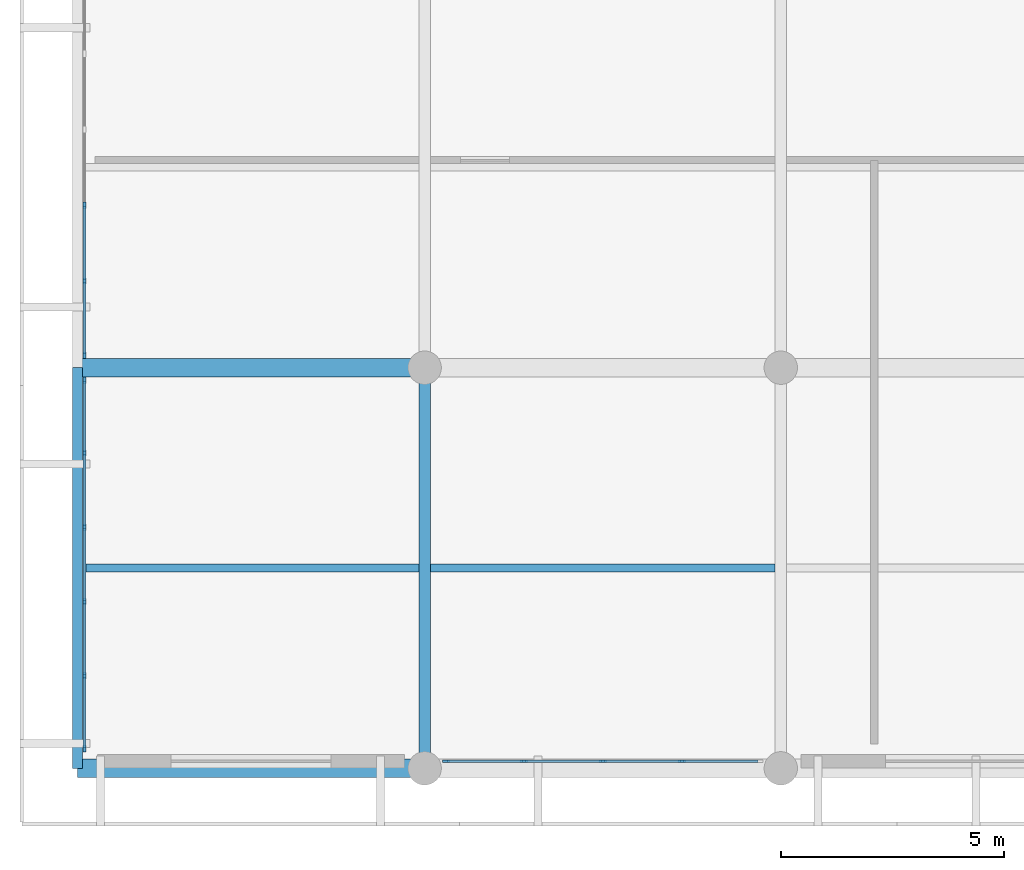
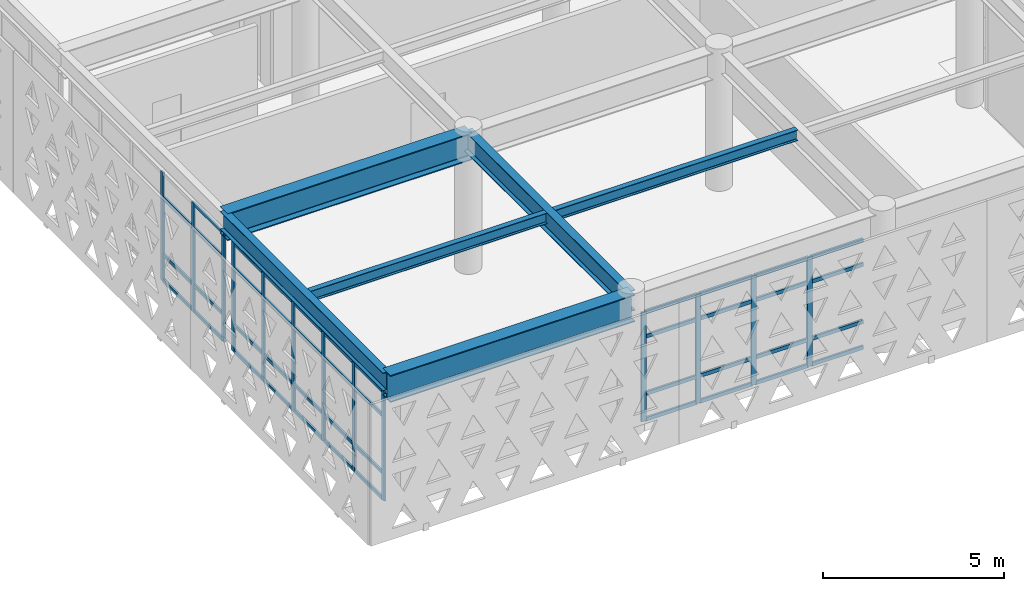
# One storey, part 2 of 26: 56 members, 6 beams, 3 elements without a shape of their own.
"""IFC4 building model written with IfcOpenShell, lengths in metres."""

from ifc_helpers import new_model, si_unit, direction, frame, origin, origin_2d, place, context, subcontext, project, spatial, rectangle, i_section, extrude, material, layer, layer_set, material_profile, profile_set, type_object, element, aggregate, save


model = new_model("IFC4")

# Units and contexts
model_context = context("Model", 3, precision=1e-05, world=origin(), true_north=direction((0.0, 1.0)))
body_context = subcontext(model_context, "Body", "Model", "MODEL_VIEW")
ifc_project = project(units=[si_unit("LENGTHUNIT", "METRE"), si_unit("AREAUNIT", "SQUARE_METRE"), si_unit("VOLUMEUNIT", "CUBIC_METRE"), si_unit("PLANEANGLEUNIT", "RADIAN"), si_unit("MASSUNIT", "GRAM", prefix="KILO")], contexts=[model_context])

# Site, building, storey
site_placement = place(None, origin())
site = spatial("IfcSite", under=ifc_project, at=site_placement, CompositionType="ELEMENT")
building_placement = place(site_placement, origin())
building = spatial("IfcBuilding", under=site, at=building_placement, Name="Tlacozan Convention Centre", CompositionType="ELEMENT")
storey_placement = place(building_placement, frame((0.0, 0.0, 21.0)))
storey = spatial("IfcBuildingStorey", under=building, at=storey_placement, Name="L04", CompositionType="ELEMENT", Elevation=21.0)

# Beams
ifc_material_1 = material(Name="Steel ASTM A992 Grade 50", Category="steel")
ifc_material_profile_1 = material_profile(ifc_material_1, i_section(OverallWidth=0.41796875, OverallDepth=0.912109375, WebThickness=0.019287109375, FlangeThickness=0.031982421875, FilletRadius=0.02001953125, at=origin_2d()), Name="IR 914x342.0")
ifc_profile_set_1 = profile_set([ifc_material_profile_1], Name="Steel ASTM A992 Grade 50")
beam_type_1 = type_object("IfcBeamType", Name="Cantilever Girder IR 914x342", PredefinedType="BEAM", material=ifc_profile_set_1)
for number, where, z_axis, x_axis, name in (
    (1, (8.0, 0.0, 4.18408203125), (-1.0, 0.0, 0.0), (0.0, -1.0, 0.0), "L04 Cantilever Girder IR 914x342 690"),
    (2, (8.0, 9.0, 4.18408203125), (-1.0, 0.0, 0.0), (0.0, -1.0, 0.0), "L04 Cantilever Girder IR 914x342 692"),
):
    element("IfcBeam", number, at=place(storey_placement, frame(where, z_axis=z_axis, x_axis=x_axis)), inside=storey, type_object=beam_type_1, Name=name, PredefinedType="BEAM", context=body_context, shape_type="SweptSolid", body=[
        extrude(i_section(OverallWidth=0.41796875, OverallDepth=0.912109375, WebThickness=0.019287109375, FlangeThickness=0.031982421875, FilletRadius=0.02001953125, at=origin_2d()), origin(), (0.0, 0.0, 1.0), 7.800048828125),
    ])

# Curtain wall, members
ifc_material_2 = material(Name="Dark Bronze Anodised Aluminium", Category="aluminium")
ifc_layer_1 = layer(ifc_material_2, 0.159912109375)
ifc_layer_set_1 = layer_set([ifc_layer_1], Name="Dark Bronze Anodised Aluminium")
curtain_wall_type_1 = type_object("IfcCurtainWallType", Name="Unitised Congress Gable End CW06", PredefinedType="NOTDEFINED", material=ifc_layer_set_1)
curtain_wall_1_placement = place(storey_placement, origin())
curtain_wall_1 = element("IfcCurtainWall", 3, at=curtain_wall_1_placement, inside=storey, type_object=curtain_wall_type_1, Name="L04 CW-06 Run 138", PredefinedType="NOTDEFINED")
ifc_material_profile_2 = material_profile(ifc_material_2, rectangle(XDim=0.06005859375, YDim=0.139892578125, at=origin_2d()), Name="ALU 60x140")
ifc_profile_set_2 = profile_set([ifc_material_profile_2], Name="Dark Bronze Anodised Aluminium")
member_type_1 = type_object("IfcMemberType", Name="Curtain Wall Light Mullion 60x140", PredefinedType="MULLION", material=ifc_profile_set_2)
member_1_placement = place(storey_placement, frame((0.360107421875, 0.43994140625, 0.0), z_axis=(0.0, 0.0, 1.0), x_axis=(-1.0, 0.0, 0.0)))
member_1 = element("IfcMember", 4, at=member_1_placement, type_object=member_type_1, Name="CW-06 mullion 1", PredefinedType="MULLION", context=body_context, shape_type="SweptSolid", body=[
    extrude(rectangle(XDim=0.06005859375, YDim=0.139892578125, at=origin_2d()), origin(), (0.0, 0.0, 1.0), 3.679931640625),
])
member_2_placement = place(storey_placement, frame((0.360107421875, 2.077880859375, 0.0), z_axis=(0.0, 0.0, 1.0), x_axis=(-1.0, 0.0, 0.0)))
member_2 = element("IfcMember", 5, at=member_2_placement, type_object=member_type_1, Name="CW-06 mullion 2", PredefinedType="MULLION", context=body_context, shape_type="SweptSolid", body=[
    extrude(rectangle(XDim=0.06005859375, YDim=0.139892578125, at=origin_2d()), origin(), (0.0, 0.0, 1.0), 3.679931640625),
])
member_3_placement = place(storey_placement, frame((0.360107421875, 3.74609375, 0.0), z_axis=(0.0, 0.0, 1.0), x_axis=(-1.0, 0.0, 0.0)))
member_3 = element("IfcMember", 6, at=member_3_placement, type_object=member_type_1, Name="CW-06 mullion 3", PredefinedType="MULLION", context=body_context, shape_type="SweptSolid", body=[
    extrude(rectangle(XDim=0.06005859375, YDim=0.139892578125, at=origin_2d()), origin(), (0.0, 0.0, 1.0), 3.679931640625),
])
member_4_placement = place(storey_placement, frame((0.360107421875, 5.4140625, 0.0), z_axis=(0.0, 0.0, 1.0), x_axis=(-1.0, 0.0, 0.0)))
member_4 = element("IfcMember", 7, at=member_4_placement, type_object=member_type_1, Name="CW-06 mullion 4", PredefinedType="MULLION", context=body_context, shape_type="SweptSolid", body=[
    extrude(rectangle(XDim=0.06005859375, YDim=0.139892578125, at=origin_2d()), origin(), (0.0, 0.0, 1.0), 3.679931640625),
])
member_5_placement = place(storey_placement, frame((0.360107421875, 7.08203125, 0.0), z_axis=(0.0, 0.0, 1.0), x_axis=(-1.0, 0.0, 0.0)))
member_5 = element("IfcMember", 8, at=member_5_placement, type_object=member_type_1, Name="CW-06 mullion 5", PredefinedType="MULLION", context=body_context, shape_type="SweptSolid", body=[
    extrude(rectangle(XDim=0.06005859375, YDim=0.139892578125, at=origin_2d()), origin(), (0.0, 0.0, 1.0), 3.679931640625),
])
member_6_placement = place(storey_placement, frame((0.360107421875, 8.719970703125, 0.0), z_axis=(0.0, 0.0, 1.0), x_axis=(-1.0, 0.0, 0.0)))
member_6 = element("IfcMember", 9, at=member_6_placement, type_object=member_type_1, Name="CW-06 mullion 6", PredefinedType="MULLION", context=body_context, shape_type="SweptSolid", body=[
    extrude(rectangle(XDim=0.06005859375, YDim=0.139892578125, at=origin_2d()), origin(), (0.0, 0.0, 1.0), 3.679931640625),
])

curtain_wall_2_placement = place(storey_placement, origin())
curtain_wall_2 = element("IfcCurtainWall", 10, at=curtain_wall_2_placement, inside=storey, type_object=curtain_wall_type_1, Name="L04 CW-06 Run 139", PredefinedType="NOTDEFINED")
member_7_placement = place(storey_placement, frame((0.360107421875, 9.280029296875, 0.0), z_axis=(0.0, 0.0, 1.0), x_axis=(-1.0, 0.0, 0.0)))
member_7 = element("IfcMember", 11, at=member_7_placement, type_object=member_type_1, Name="CW-06 mullion 1", PredefinedType="MULLION", context=body_context, shape_type="SweptSolid", body=[
    extrude(rectangle(XDim=0.06005859375, YDim=0.139892578125, at=origin_2d()), origin(), (0.0, 0.0, 1.0), 3.679931640625),
])
member_8_placement = place(storey_placement, frame((0.360107421875, 10.949951171875, 0.0), z_axis=(0.0, 0.0, 1.0), x_axis=(-1.0, 0.0, 0.0)))
member_8 = element("IfcMember", 12, at=member_8_placement, type_object=member_type_1, Name="CW-06 mullion 2", PredefinedType="MULLION", context=body_context, shape_type="SweptSolid", body=[
    extrude(rectangle(XDim=0.06005859375, YDim=0.139892578125, at=origin_2d()), origin(), (0.0, 0.0, 1.0), 3.679931640625),
])
member_9_placement = place(storey_placement, frame((0.360107421875, 12.64990234375, 0.0), z_axis=(0.0, 0.0, 1.0), x_axis=(-1.0, 0.0, 0.0)))
member_9 = element("IfcMember", 13, at=member_9_placement, type_object=member_type_1, Name="CW-06 mullion 3", PredefinedType="MULLION", context=body_context, shape_type="SweptSolid", body=[
    extrude(rectangle(XDim=0.06005859375, YDim=0.139892578125, at=origin_2d()), origin(), (0.0, 0.0, 1.0), 3.679931640625),
])

# Member
ifc_material_profile_3 = material_profile(ifc_material_2, rectangle(XDim=0.06005859375, YDim=0.110107421875, at=origin_2d()), Name="ALU 60x110")
ifc_profile_set_3 = profile_set([ifc_material_profile_3], Name="Dark Bronze Anodised Aluminium")
member_type_2 = type_object("IfcMemberType", Name="Curtain Wall Light Transom 60x110", PredefinedType="USERDEFINED", material=ifc_profile_set_3)
member_10_placement = place(storey_placement, frame((0.360107421875, 0.469970703125, 0.030029296875), z_axis=(0.0, 1.0, 0.0), x_axis=(-1.0, 0.0, 0.0)))
member_10 = element("IfcMember", 14, at=member_10_placement, type_object=member_type_2, Name="CW-06 transom 1.1", ObjectType="TRANSOM", PredefinedType="USERDEFINED", context=body_context, shape_type="SweptSolid", body=[
    extrude(rectangle(XDim=0.06005859375, YDim=0.110107421875, at=origin_2d()), origin(), (0.0, 0.0, 1.0), 1.578125),
])

member_11_placement = place(storey_placement, frame((0.360107421875, 0.469970703125, 0.89990234375), z_axis=(0.0, 1.0, 0.0), x_axis=(-1.0, 0.0, 0.0)))
member_11 = element("IfcMember", 15, at=member_11_placement, type_object=member_type_2, Name="CW-06 transom 1.2", ObjectType="TRANSOM", PredefinedType="USERDEFINED", context=body_context, shape_type="SweptSolid", body=[
    extrude(rectangle(XDim=0.06005859375, YDim=0.110107421875, at=origin_2d()), origin(), (0.0, 0.0, 1.0), 1.578125),
])

member_12_placement = place(storey_placement, frame((0.360107421875, 0.469970703125, 2.830078125), z_axis=(0.0, 1.0, 0.0), x_axis=(-1.0, 0.0, 0.0)))
member_12 = element("IfcMember", 16, at=member_12_placement, type_object=member_type_2, Name="CW-06 transom 1.3", ObjectType="TRANSOM", PredefinedType="USERDEFINED", context=body_context, shape_type="SweptSolid", body=[
    extrude(rectangle(XDim=0.06005859375, YDim=0.110107421875, at=origin_2d()), origin(), (0.0, 0.0, 1.0), 1.578125),
])

member_13_placement = place(storey_placement, frame((0.360107421875, 0.469970703125, 3.64990234375), z_axis=(0.0, 1.0, 0.0), x_axis=(-1.0, 0.0, 0.0)))
member_13 = element("IfcMember", 17, at=member_13_placement, type_object=member_type_2, Name="CW-06 transom 1.4", ObjectType="TRANSOM", PredefinedType="USERDEFINED", context=body_context, shape_type="SweptSolid", body=[
    extrude(rectangle(XDim=0.06005859375, YDim=0.110107421875, at=origin_2d()), origin(), (0.0, 0.0, 1.0), 1.578125),
])

member_14_placement = place(storey_placement, frame((0.360107421875, 2.10791015625, 0.030029296875), z_axis=(0.0, 1.0, 0.0), x_axis=(-1.0, 0.0, 0.0)))
member_14 = element("IfcMember", 18, at=member_14_placement, type_object=member_type_2, Name="CW-06 transom 2.1", ObjectType="TRANSOM", PredefinedType="USERDEFINED", context=body_context, shape_type="SweptSolid", body=[
    extrude(rectangle(XDim=0.06005859375, YDim=0.110107421875, at=origin_2d()), origin(), (0.0, 0.0, 1.0), 1.608154296875),
])

member_15_placement = place(storey_placement, frame((0.360107421875, 2.10791015625, 0.89990234375), z_axis=(0.0, 1.0, 0.0), x_axis=(-1.0, 0.0, 0.0)))
member_15 = element("IfcMember", 19, at=member_15_placement, type_object=member_type_2, Name="CW-06 transom 2.2", ObjectType="TRANSOM", PredefinedType="USERDEFINED", context=body_context, shape_type="SweptSolid", body=[
    extrude(rectangle(XDim=0.06005859375, YDim=0.110107421875, at=origin_2d()), origin(), (0.0, 0.0, 1.0), 1.608154296875),
])

member_16_placement = place(storey_placement, frame((0.360107421875, 2.10791015625, 2.830078125), z_axis=(0.0, 1.0, 0.0), x_axis=(-1.0, 0.0, 0.0)))
member_16 = element("IfcMember", 20, at=member_16_placement, type_object=member_type_2, Name="CW-06 transom 2.3", ObjectType="TRANSOM", PredefinedType="USERDEFINED", context=body_context, shape_type="SweptSolid", body=[
    extrude(rectangle(XDim=0.06005859375, YDim=0.110107421875, at=origin_2d()), origin(), (0.0, 0.0, 1.0), 1.608154296875),
])

member_17_placement = place(storey_placement, frame((0.360107421875, 2.10791015625, 3.64990234375), z_axis=(0.0, 1.0, 0.0), x_axis=(-1.0, 0.0, 0.0)))
member_17 = element("IfcMember", 21, at=member_17_placement, type_object=member_type_2, Name="CW-06 transom 2.4", ObjectType="TRANSOM", PredefinedType="USERDEFINED", context=body_context, shape_type="SweptSolid", body=[
    extrude(rectangle(XDim=0.06005859375, YDim=0.110107421875, at=origin_2d()), origin(), (0.0, 0.0, 1.0), 1.608154296875),
])

member_18_placement = place(storey_placement, frame((0.360107421875, 3.77587890625, 0.030029296875), z_axis=(0.0, 1.0, 0.0), x_axis=(-1.0, 0.0, 0.0)))
member_18 = element("IfcMember", 22, at=member_18_placement, type_object=member_type_2, Name="CW-06 transom 3.1", ObjectType="TRANSOM", PredefinedType="USERDEFINED", context=body_context, shape_type="SweptSolid", body=[
    extrude(rectangle(XDim=0.06005859375, YDim=0.110107421875, at=origin_2d()), origin(), (0.0, 0.0, 1.0), 1.608154296875),
])

member_19_placement = place(storey_placement, frame((0.360107421875, 3.77587890625, 0.89990234375), z_axis=(0.0, 1.0, 0.0), x_axis=(-1.0, 0.0, 0.0)))
member_19 = element("IfcMember", 23, at=member_19_placement, type_object=member_type_2, Name="CW-06 transom 3.2", ObjectType="TRANSOM", PredefinedType="USERDEFINED", context=body_context, shape_type="SweptSolid", body=[
    extrude(rectangle(XDim=0.06005859375, YDim=0.110107421875, at=origin_2d()), origin(), (0.0, 0.0, 1.0), 1.608154296875),
])

member_20_placement = place(storey_placement, frame((0.360107421875, 3.77587890625, 2.830078125), z_axis=(0.0, 1.0, 0.0), x_axis=(-1.0, 0.0, 0.0)))
member_20 = element("IfcMember", 24, at=member_20_placement, type_object=member_type_2, Name="CW-06 transom 3.3", ObjectType="TRANSOM", PredefinedType="USERDEFINED", context=body_context, shape_type="SweptSolid", body=[
    extrude(rectangle(XDim=0.06005859375, YDim=0.110107421875, at=origin_2d()), origin(), (0.0, 0.0, 1.0), 1.608154296875),
])

member_21_placement = place(storey_placement, frame((0.360107421875, 3.77587890625, 3.64990234375), z_axis=(0.0, 1.0, 0.0), x_axis=(-1.0, 0.0, 0.0)))
member_21 = element("IfcMember", 25, at=member_21_placement, type_object=member_type_2, Name="CW-06 transom 3.4", ObjectType="TRANSOM", PredefinedType="USERDEFINED", context=body_context, shape_type="SweptSolid", body=[
    extrude(rectangle(XDim=0.06005859375, YDim=0.110107421875, at=origin_2d()), origin(), (0.0, 0.0, 1.0), 1.608154296875),
])

member_22_placement = place(storey_placement, frame((0.360107421875, 5.444091796875, 0.030029296875), z_axis=(0.0, 1.0, 0.0), x_axis=(-1.0, 0.0, 0.0)))
member_22 = element("IfcMember", 26, at=member_22_placement, type_object=member_type_2, Name="CW-06 transom 4.1", ObjectType="TRANSOM", PredefinedType="USERDEFINED", context=body_context, shape_type="SweptSolid", body=[
    extrude(rectangle(XDim=0.06005859375, YDim=0.110107421875, at=origin_2d()), origin(), (0.0, 0.0, 1.0), 1.60791015625),
])

member_23_placement = place(storey_placement, frame((0.360107421875, 5.444091796875, 0.89990234375), z_axis=(0.0, 1.0, 0.0), x_axis=(-1.0, 0.0, 0.0)))
member_23 = element("IfcMember", 27, at=member_23_placement, type_object=member_type_2, Name="CW-06 transom 4.2", ObjectType="TRANSOM", PredefinedType="USERDEFINED", context=body_context, shape_type="SweptSolid", body=[
    extrude(rectangle(XDim=0.06005859375, YDim=0.110107421875, at=origin_2d()), origin(), (0.0, 0.0, 1.0), 1.60791015625),
])

member_24_placement = place(storey_placement, frame((0.360107421875, 5.444091796875, 2.830078125), z_axis=(0.0, 1.0, 0.0), x_axis=(-1.0, 0.0, 0.0)))
member_24 = element("IfcMember", 28, at=member_24_placement, type_object=member_type_2, Name="CW-06 transom 4.3", ObjectType="TRANSOM", PredefinedType="USERDEFINED", context=body_context, shape_type="SweptSolid", body=[
    extrude(rectangle(XDim=0.06005859375, YDim=0.110107421875, at=origin_2d()), origin(), (0.0, 0.0, 1.0), 1.60791015625),
])

member_25_placement = place(storey_placement, frame((0.360107421875, 5.444091796875, 3.64990234375), z_axis=(0.0, 1.0, 0.0), x_axis=(-1.0, 0.0, 0.0)))
member_25 = element("IfcMember", 29, at=member_25_placement, type_object=member_type_2, Name="CW-06 transom 4.4", ObjectType="TRANSOM", PredefinedType="USERDEFINED", context=body_context, shape_type="SweptSolid", body=[
    extrude(rectangle(XDim=0.06005859375, YDim=0.110107421875, at=origin_2d()), origin(), (0.0, 0.0, 1.0), 1.60791015625),
])

member_26_placement = place(storey_placement, frame((0.360107421875, 7.112060546875, 0.030029296875), z_axis=(0.0, 1.0, 0.0), x_axis=(-1.0, 0.0, 0.0)))
member_26 = element("IfcMember", 30, at=member_26_placement, type_object=member_type_2, Name="CW-06 transom 5.1", ObjectType="TRANSOM", PredefinedType="USERDEFINED", context=body_context, shape_type="SweptSolid", body=[
    extrude(rectangle(XDim=0.06005859375, YDim=0.110107421875, at=origin_2d()), origin(), (0.0, 0.0, 1.0), 1.577880859375),
])

member_27_placement = place(storey_placement, frame((0.360107421875, 7.112060546875, 0.89990234375), z_axis=(0.0, 1.0, 0.0), x_axis=(-1.0, 0.0, 0.0)))
member_27 = element("IfcMember", 31, at=member_27_placement, type_object=member_type_2, Name="CW-06 transom 5.2", ObjectType="TRANSOM", PredefinedType="USERDEFINED", context=body_context, shape_type="SweptSolid", body=[
    extrude(rectangle(XDim=0.06005859375, YDim=0.110107421875, at=origin_2d()), origin(), (0.0, 0.0, 1.0), 1.577880859375),
])

member_28_placement = place(storey_placement, frame((0.360107421875, 7.112060546875, 2.830078125), z_axis=(0.0, 1.0, 0.0), x_axis=(-1.0, 0.0, 0.0)))
member_28 = element("IfcMember", 32, at=member_28_placement, type_object=member_type_2, Name="CW-06 transom 5.3", ObjectType="TRANSOM", PredefinedType="USERDEFINED", context=body_context, shape_type="SweptSolid", body=[
    extrude(rectangle(XDim=0.06005859375, YDim=0.110107421875, at=origin_2d()), origin(), (0.0, 0.0, 1.0), 1.577880859375),
])

member_29_placement = place(storey_placement, frame((0.360107421875, 7.112060546875, 3.64990234375), z_axis=(0.0, 1.0, 0.0), x_axis=(-1.0, 0.0, 0.0)))
member_29 = element("IfcMember", 33, at=member_29_placement, type_object=member_type_2, Name="CW-06 transom 5.4", ObjectType="TRANSOM", PredefinedType="USERDEFINED", context=body_context, shape_type="SweptSolid", body=[
    extrude(rectangle(XDim=0.06005859375, YDim=0.110107421875, at=origin_2d()), origin(), (0.0, 0.0, 1.0), 1.577880859375),
])

aggregate(curtain_wall_1, [member_1, member_2, member_3, member_4, member_5, member_6, member_10, member_11, member_12, member_13, member_14, member_15, member_16, member_17, member_18, member_19, member_20, member_21, member_22, member_23, member_24, member_25, member_26, member_27, member_28, member_29])

member_30_placement = place(storey_placement, frame((0.360107421875, 9.31005859375, 0.030029296875), z_axis=(0.0, 1.0, 0.0), x_axis=(-1.0, 0.0, 0.0)))
member_30 = element("IfcMember", 34, at=member_30_placement, type_object=member_type_2, Name="CW-06 transom 1.1", ObjectType="TRANSOM", PredefinedType="USERDEFINED", context=body_context, shape_type="SweptSolid", body=[
    extrude(rectangle(XDim=0.06005859375, YDim=0.110107421875, at=origin_2d()), origin(), (0.0, 0.0, 1.0), 1.60986328125),
])

member_31_placement = place(storey_placement, frame((0.360107421875, 9.31005859375, 0.89990234375), z_axis=(0.0, 1.0, 0.0), x_axis=(-1.0, 0.0, 0.0)))
member_31 = element("IfcMember", 35, at=member_31_placement, type_object=member_type_2, Name="CW-06 transom 1.2", ObjectType="TRANSOM", PredefinedType="USERDEFINED", context=body_context, shape_type="SweptSolid", body=[
    extrude(rectangle(XDim=0.06005859375, YDim=0.110107421875, at=origin_2d()), origin(), (0.0, 0.0, 1.0), 1.60986328125),
])

member_32_placement = place(storey_placement, frame((0.360107421875, 9.31005859375, 2.830078125), z_axis=(0.0, 1.0, 0.0), x_axis=(-1.0, 0.0, 0.0)))
member_32 = element("IfcMember", 36, at=member_32_placement, type_object=member_type_2, Name="CW-06 transom 1.3", ObjectType="TRANSOM", PredefinedType="USERDEFINED", context=body_context, shape_type="SweptSolid", body=[
    extrude(rectangle(XDim=0.06005859375, YDim=0.110107421875, at=origin_2d()), origin(), (0.0, 0.0, 1.0), 1.60986328125),
])

member_33_placement = place(storey_placement, frame((0.360107421875, 9.31005859375, 3.64990234375), z_axis=(0.0, 1.0, 0.0), x_axis=(-1.0, 0.0, 0.0)))
member_33 = element("IfcMember", 37, at=member_33_placement, type_object=member_type_2, Name="CW-06 transom 1.4", ObjectType="TRANSOM", PredefinedType="USERDEFINED", context=body_context, shape_type="SweptSolid", body=[
    extrude(rectangle(XDim=0.06005859375, YDim=0.110107421875, at=origin_2d()), origin(), (0.0, 0.0, 1.0), 1.60986328125),
])

member_34_placement = place(storey_placement, frame((0.360107421875, 10.97998046875, 0.030029296875), z_axis=(0.0, 1.0, 0.0), x_axis=(-1.0, 0.0, 0.0)))
member_34 = element("IfcMember", 38, at=member_34_placement, type_object=member_type_2, Name="CW-06 transom 2.1", ObjectType="TRANSOM", PredefinedType="USERDEFINED", context=body_context, shape_type="SweptSolid", body=[
    extrude(rectangle(XDim=0.06005859375, YDim=0.110107421875, at=origin_2d()), origin(), (0.0, 0.0, 1.0), 1.64013671875),
])

member_35_placement = place(storey_placement, frame((0.360107421875, 10.97998046875, 0.89990234375), z_axis=(0.0, 1.0, 0.0), x_axis=(-1.0, 0.0, 0.0)))
member_35 = element("IfcMember", 39, at=member_35_placement, type_object=member_type_2, Name="CW-06 transom 2.2", ObjectType="TRANSOM", PredefinedType="USERDEFINED", context=body_context, shape_type="SweptSolid", body=[
    extrude(rectangle(XDim=0.06005859375, YDim=0.110107421875, at=origin_2d()), origin(), (0.0, 0.0, 1.0), 1.64013671875),
])

member_36_placement = place(storey_placement, frame((0.360107421875, 10.97998046875, 2.830078125), z_axis=(0.0, 1.0, 0.0), x_axis=(-1.0, 0.0, 0.0)))
member_36 = element("IfcMember", 40, at=member_36_placement, type_object=member_type_2, Name="CW-06 transom 2.3", ObjectType="TRANSOM", PredefinedType="USERDEFINED", context=body_context, shape_type="SweptSolid", body=[
    extrude(rectangle(XDim=0.06005859375, YDim=0.110107421875, at=origin_2d()), origin(), (0.0, 0.0, 1.0), 1.64013671875),
])

aggregate(curtain_wall_2, [member_7, member_8, member_9, member_30, member_31, member_32, member_33, member_34, member_35, member_36])

# Curtain wall, members
ifc_layer_2 = layer(ifc_material_2, 0.159912109375)
ifc_layer_set_2 = layer_set([ifc_layer_2], Name="Dark Bronze Anodised Aluminium")
curtain_wall_type_2 = type_object("IfcCurtainWallType", Name="Unitised Congress L04 South CW05", PredefinedType="NOTDEFINED", material=ifc_layer_set_2)
curtain_wall_3_placement = place(storey_placement, origin())
curtain_wall_3 = element("IfcCurtainWall", 41, at=curtain_wall_3_placement, inside=storey, type_object=curtain_wall_type_2, Name="L04 CW-05 Run 124", PredefinedType="NOTDEFINED")
ifc_material_profile_4 = material_profile(ifc_material_2, rectangle(XDim=0.06494140625, YDim=0.159912109375, at=origin_2d()), Name="ALU 65x160")
ifc_profile_set_4 = profile_set([ifc_material_profile_4], Name="Dark Bronze Anodised Aluminium")
member_type_3 = type_object("IfcMemberType", Name="Curtain Wall Mullion 65x160", PredefinedType="MULLION", material=ifc_profile_set_4)
member_37_placement = place(storey_placement, frame((8.482421875, 0.159912109375, 0.0), z_axis=(0.0, 0.0, 1.0), x_axis=(0.0, 1.0, 0.0)))
member_37 = element("IfcMember", 42, at=member_37_placement, type_object=member_type_3, Name="CW-05 mullion 1", PredefinedType="MULLION", context=body_context, shape_type="SweptSolid", body=[
    extrude(rectangle(XDim=0.06494140625, YDim=0.159912109375, at=origin_2d()), origin(), (0.0, 0.0, 1.0), 3.679931640625),
])
member_38_placement = place(storey_placement, frame((10.22509765625, 0.159912109375, 0.0), z_axis=(0.0, 0.0, 1.0), x_axis=(0.0, 1.0, 0.0)))
member_38 = element("IfcMember", 43, at=member_38_placement, type_object=member_type_3, Name="CW-05 mullion 2", PredefinedType="MULLION", context=body_context, shape_type="SweptSolid", body=[
    extrude(rectangle(XDim=0.06494140625, YDim=0.159912109375, at=origin_2d()), origin(), (0.0, 0.0, 1.0), 3.679931640625),
])
member_39_placement = place(storey_placement, frame((12.0, 0.159912109375, 0.0), z_axis=(0.0, 0.0, 1.0), x_axis=(0.0, 1.0, 0.0)))
member_39 = element("IfcMember", 44, at=member_39_placement, type_object=member_type_3, Name="CW-05 mullion 3", PredefinedType="MULLION", context=body_context, shape_type="SweptSolid", body=[
    extrude(rectangle(XDim=0.06494140625, YDim=0.159912109375, at=origin_2d()), origin(), (0.0, 0.0, 1.0), 3.679931640625),
])
member_40_placement = place(storey_placement, frame((13.77490234375, 0.159912109375, 0.0), z_axis=(0.0, 0.0, 1.0), x_axis=(0.0, 1.0, 0.0)))
member_40 = element("IfcMember", 45, at=member_40_placement, type_object=member_type_3, Name="CW-05 mullion 4", PredefinedType="MULLION", context=body_context, shape_type="SweptSolid", body=[
    extrude(rectangle(XDim=0.06494140625, YDim=0.159912109375, at=origin_2d()), origin(), (0.0, 0.0, 1.0), 3.679931640625),
])
ifc_material_profile_5 = material_profile(ifc_material_2, rectangle(XDim=0.06494140625, YDim=0.125, at=origin_2d()), Name="ALU 65x125")
ifc_profile_set_5 = profile_set([ifc_material_profile_5], Name="Dark Bronze Anodised Aluminium")
member_type_4 = type_object("IfcMemberType", Name="Curtain Wall Transom 65x125", PredefinedType="USERDEFINED", material=ifc_profile_set_5)
member_41_placement = place(storey_placement, frame((8.514892578125, 0.159912109375, 0.032470703125), z_axis=(1.0, 0.0, 0.0), x_axis=(0.0, 1.0, 0.0)))
member_41 = element("IfcMember", 46, at=member_41_placement, type_object=member_type_4, Name="CW-05 transom 1.1", ObjectType="TRANSOM", PredefinedType="USERDEFINED", context=body_context, shape_type="SweptSolid", body=[
    extrude(rectangle(XDim=0.06494140625, YDim=0.125, at=origin_2d()), origin(), (0.0, 0.0, 1.0), 1.677490234375),
])
member_42_placement = place(storey_placement, frame((8.514892578125, 0.159912109375, 0.89990234375), z_axis=(1.0, 0.0, 0.0), x_axis=(0.0, 1.0, 0.0)))
member_42 = element("IfcMember", 47, at=member_42_placement, type_object=member_type_4, Name="CW-05 transom 1.2", ObjectType="TRANSOM", PredefinedType="USERDEFINED", context=body_context, shape_type="SweptSolid", body=[
    extrude(rectangle(XDim=0.06494140625, YDim=0.125, at=origin_2d()), origin(), (0.0, 0.0, 1.0), 1.677490234375),
])
member_43_placement = place(storey_placement, frame((8.514892578125, 0.159912109375, 2.830078125), z_axis=(1.0, 0.0, 0.0), x_axis=(0.0, 1.0, 0.0)))
member_43 = element("IfcMember", 48, at=member_43_placement, type_object=member_type_4, Name="CW-05 transom 1.3", ObjectType="TRANSOM", PredefinedType="USERDEFINED", context=body_context, shape_type="SweptSolid", body=[
    extrude(rectangle(XDim=0.06494140625, YDim=0.125, at=origin_2d()), origin(), (0.0, 0.0, 1.0), 1.677490234375),
])
member_44_placement = place(storey_placement, frame((8.514892578125, 0.159912109375, 3.6474609375), z_axis=(1.0, 0.0, 0.0), x_axis=(0.0, 1.0, 0.0)))
member_44 = element("IfcMember", 49, at=member_44_placement, type_object=member_type_4, Name="CW-05 transom 1.4", ObjectType="TRANSOM", PredefinedType="USERDEFINED", context=body_context, shape_type="SweptSolid", body=[
    extrude(rectangle(XDim=0.06494140625, YDim=0.125, at=origin_2d()), origin(), (0.0, 0.0, 1.0), 1.677490234375),
])
member_45_placement = place(storey_placement, frame((10.257568359375, 0.159912109375, 0.032470703125), z_axis=(1.0, 0.0, 0.0), x_axis=(0.0, 1.0, 0.0)))
member_45 = element("IfcMember", 50, at=member_45_placement, type_object=member_type_4, Name="CW-05 transom 2.1", ObjectType="TRANSOM", PredefinedType="USERDEFINED", context=body_context, shape_type="SweptSolid", body=[
    extrude(rectangle(XDim=0.06494140625, YDim=0.125, at=origin_2d()), origin(), (0.0, 0.0, 1.0), 1.7099609375),
])
member_46_placement = place(storey_placement, frame((10.257568359375, 0.159912109375, 0.89990234375), z_axis=(1.0, 0.0, 0.0), x_axis=(0.0, 1.0, 0.0)))
member_46 = element("IfcMember", 51, at=member_46_placement, type_object=member_type_4, Name="CW-05 transom 2.2", ObjectType="TRANSOM", PredefinedType="USERDEFINED", context=body_context, shape_type="SweptSolid", body=[
    extrude(rectangle(XDim=0.06494140625, YDim=0.125, at=origin_2d()), origin(), (0.0, 0.0, 1.0), 1.7099609375),
])
member_47_placement = place(storey_placement, frame((10.257568359375, 0.159912109375, 2.830078125), z_axis=(1.0, 0.0, 0.0), x_axis=(0.0, 1.0, 0.0)))
member_47 = element("IfcMember", 52, at=member_47_placement, type_object=member_type_4, Name="CW-05 transom 2.3", ObjectType="TRANSOM", PredefinedType="USERDEFINED", context=body_context, shape_type="SweptSolid", body=[
    extrude(rectangle(XDim=0.06494140625, YDim=0.125, at=origin_2d()), origin(), (0.0, 0.0, 1.0), 1.7099609375),
])
member_48_placement = place(storey_placement, frame((10.257568359375, 0.159912109375, 3.6474609375), z_axis=(1.0, 0.0, 0.0), x_axis=(0.0, 1.0, 0.0)))
member_48 = element("IfcMember", 53, at=member_48_placement, type_object=member_type_4, Name="CW-05 transom 2.4", ObjectType="TRANSOM", PredefinedType="USERDEFINED", context=body_context, shape_type="SweptSolid", body=[
    extrude(rectangle(XDim=0.06494140625, YDim=0.125, at=origin_2d()), origin(), (0.0, 0.0, 1.0), 1.7099609375),
])
member_49_placement = place(storey_placement, frame((12.032470703125, 0.159912109375, 0.032470703125), z_axis=(1.0, 0.0, 0.0), x_axis=(0.0, 1.0, 0.0)))
member_49 = element("IfcMember", 54, at=member_49_placement, type_object=member_type_4, Name="CW-05 transom 3.1", ObjectType="TRANSOM", PredefinedType="USERDEFINED", context=body_context, shape_type="SweptSolid", body=[
    extrude(rectangle(XDim=0.06494140625, YDim=0.125, at=origin_2d()), origin(), (0.0, 0.0, 1.0), 1.7099609375),
])
member_50_placement = place(storey_placement, frame((12.032470703125, 0.159912109375, 0.89990234375), z_axis=(1.0, 0.0, 0.0), x_axis=(0.0, 1.0, 0.0)))
member_50 = element("IfcMember", 55, at=member_50_placement, type_object=member_type_4, Name="CW-05 transom 3.2", ObjectType="TRANSOM", PredefinedType="USERDEFINED", context=body_context, shape_type="SweptSolid", body=[
    extrude(rectangle(XDim=0.06494140625, YDim=0.125, at=origin_2d()), origin(), (0.0, 0.0, 1.0), 1.7099609375),
])
member_51_placement = place(storey_placement, frame((12.032470703125, 0.159912109375, 2.830078125), z_axis=(1.0, 0.0, 0.0), x_axis=(0.0, 1.0, 0.0)))
member_51 = element("IfcMember", 56, at=member_51_placement, type_object=member_type_4, Name="CW-05 transom 3.3", ObjectType="TRANSOM", PredefinedType="USERDEFINED", context=body_context, shape_type="SweptSolid", body=[
    extrude(rectangle(XDim=0.06494140625, YDim=0.125, at=origin_2d()), origin(), (0.0, 0.0, 1.0), 1.7099609375),
])
member_52_placement = place(storey_placement, frame((12.032470703125, 0.159912109375, 3.6474609375), z_axis=(1.0, 0.0, 0.0), x_axis=(0.0, 1.0, 0.0)))
member_52 = element("IfcMember", 57, at=member_52_placement, type_object=member_type_4, Name="CW-05 transom 3.4", ObjectType="TRANSOM", PredefinedType="USERDEFINED", context=body_context, shape_type="SweptSolid", body=[
    extrude(rectangle(XDim=0.06494140625, YDim=0.125, at=origin_2d()), origin(), (0.0, 0.0, 1.0), 1.7099609375),
])
member_53_placement = place(storey_placement, frame((13.8076171875, 0.159912109375, 0.032470703125), z_axis=(1.0, 0.0, 0.0), x_axis=(0.0, 1.0, 0.0)))
member_53 = element("IfcMember", 58, at=member_53_placement, type_object=member_type_4, Name="CW-05 transom 4.1", ObjectType="TRANSOM", PredefinedType="USERDEFINED", context=body_context, shape_type="SweptSolid", body=[
    extrude(rectangle(XDim=0.06494140625, YDim=0.125, at=origin_2d()), origin(), (0.0, 0.0, 1.0), 1.677490234375),
])
member_54_placement = place(storey_placement, frame((13.8076171875, 0.159912109375, 0.89990234375), z_axis=(1.0, 0.0, 0.0), x_axis=(0.0, 1.0, 0.0)))
member_54 = element("IfcMember", 59, at=member_54_placement, type_object=member_type_4, Name="CW-05 transom 4.2", ObjectType="TRANSOM", PredefinedType="USERDEFINED", context=body_context, shape_type="SweptSolid", body=[
    extrude(rectangle(XDim=0.06494140625, YDim=0.125, at=origin_2d()), origin(), (0.0, 0.0, 1.0), 1.677490234375),
])
member_55_placement = place(storey_placement, frame((13.8076171875, 0.159912109375, 2.830078125), z_axis=(1.0, 0.0, 0.0), x_axis=(0.0, 1.0, 0.0)))
member_55 = element("IfcMember", 60, at=member_55_placement, type_object=member_type_4, Name="CW-05 transom 4.3", ObjectType="TRANSOM", PredefinedType="USERDEFINED", context=body_context, shape_type="SweptSolid", body=[
    extrude(rectangle(XDim=0.06494140625, YDim=0.125, at=origin_2d()), origin(), (0.0, 0.0, 1.0), 1.677490234375),
])
member_56_placement = place(storey_placement, frame((13.8076171875, 0.159912109375, 3.6474609375), z_axis=(1.0, 0.0, 0.0), x_axis=(0.0, 1.0, 0.0)))
member_56 = element("IfcMember", 61, at=member_56_placement, type_object=member_type_4, Name="CW-05 transom 4.4", ObjectType="TRANSOM", PredefinedType="USERDEFINED", context=body_context, shape_type="SweptSolid", body=[
    extrude(rectangle(XDim=0.06494140625, YDim=0.125, at=origin_2d()), origin(), (0.0, 0.0, 1.0), 1.677490234375),
])
aggregate(curtain_wall_3, [member_37, member_38, member_39, member_40, member_41, member_42, member_43, member_44, member_45, member_46, member_47, member_48, member_49, member_50, member_51, member_52, member_53, member_54, member_55, member_56])

# Beams
ifc_material_profile_6 = material_profile(ifc_material_1, i_section(OverallWidth=0.256103515625, OverallDepth=0.693115234375, WebThickness=0.014404296875, FlangeThickness=0.023681640625, FilletRadius=0.014892578125, at=origin_2d()), Name="IR 686x170.0")
ifc_profile_set_6 = profile_set([ifc_material_profile_6], Name="Steel ASTM A992 Grade 50")
beam_type_2 = type_object("IfcBeamType", Name="Girder Steel IR 686x170", PredefinedType="BEAM", material=ifc_profile_set_6)
beam_1_placement = place(storey_placement, frame((8.0, 0.0, 4.29345703125), z_axis=(0.0, 1.0, 0.0), x_axis=(-1.0, 0.0, 0.0)))
element("IfcBeam", 62, at=beam_1_placement, inside=storey, type_object=beam_type_2, Name="L04 Girder Steel IR 686x170 650", PredefinedType="BEAM", context=body_context, shape_type="SweptSolid", body=[
    extrude(i_section(OverallWidth=0.256103515625, OverallDepth=0.693115234375, WebThickness=0.014404296875, FlangeThickness=0.023681640625, FilletRadius=0.014892578125, at=origin_2d()), origin(), (0.0, 0.0, 1.0), 9.0),
])
ifc_material_profile_7 = material_profile(ifc_material_1, i_section(OverallWidth=0.22900390625, OverallDepth=0.612060546875, WebThickness=0.011962890625, FlangeThickness=0.01953125, FilletRadius=0.012939453125, at=origin_2d()), Name="IR 610x125.0")
ifc_profile_set_7 = profile_set([ifc_material_profile_7], Name="Steel ASTM A992 Grade 50")
beam_type_3 = type_object("IfcBeamType", Name="Perimeter Spandrel IR 610x125", PredefinedType="SPANDREL", material=ifc_profile_set_7)
beam_2_placement = place(storey_placement, frame((0.199951171875, 0.0, 4.333984375), z_axis=(0.0, 1.0, 0.0), x_axis=(-1.0, 0.0, 0.0)))
element("IfcBeam", 63, at=beam_2_placement, inside=storey, type_object=beam_type_3, Name="L04 Perimeter Spandrel IR 610x125 686", PredefinedType="SPANDREL", context=body_context, shape_type="SweptSolid", body=[
    extrude(i_section(OverallWidth=0.22900390625, OverallDepth=0.612060546875, WebThickness=0.011962890625, FlangeThickness=0.01953125, FilletRadius=0.012939453125, at=origin_2d()), origin(), (0.0, 0.0, 1.0), 9.0),
])
ifc_material_profile_8 = material_profile(ifc_material_1, i_section(OverallWidth=0.173095703125, OverallDepth=0.364013671875, WebThickness=0.009033203125, FlangeThickness=0.015625, FilletRadius=0.010009765625, at=origin_2d()), Name="IR 356x67.1")
ifc_profile_set_8 = profile_set([ifc_material_profile_8], Name="Steel ASTM A992 Grade 50")
beam_type_4 = type_object("IfcBeamType", Name="Secondary Joist IR 356x67.1", PredefinedType="JOIST", material=ifc_profile_set_8)
beam_3_placement = place(storey_placement, frame((0.325927734375, 4.5, 4.4580078125), z_axis=(1.0, 0.0, 0.0), x_axis=(0.0, 1.0, 0.0)))
element("IfcBeam", 64, at=beam_3_placement, inside=storey, type_object=beam_type_4, Name="L04 Secondary Joist IR 356x67.1 733", PredefinedType="JOIST", context=body_context, shape_type="SweptSolid", body=[
    extrude(i_section(OverallWidth=0.173095703125, OverallDepth=0.364013671875, WebThickness=0.009033203125, FlangeThickness=0.015625, FilletRadius=0.010009765625, at=origin_2d()), origin(), (0.0, 0.0, 1.0), 7.548095703125),
])
beam_4_placement = place(storey_placement, frame((8.1259765625, 4.5, 4.4580078125), z_axis=(1.0, 0.0, 0.0), x_axis=(0.0, 1.0, 0.0)))
element("IfcBeam", 65, at=beam_4_placement, inside=storey, type_object=beam_type_4, Name="L04 Secondary Joist IR 356x67.1 736", PredefinedType="JOIST", context=body_context, shape_type="SweptSolid", body=[
    extrude(i_section(OverallWidth=0.173095703125, OverallDepth=0.364013671875, WebThickness=0.009033203125, FlangeThickness=0.015625, FilletRadius=0.010009765625, at=origin_2d()), origin(), (0.0, 0.0, 1.0), 7.748046875),
])

save(model, "model.ifc")
